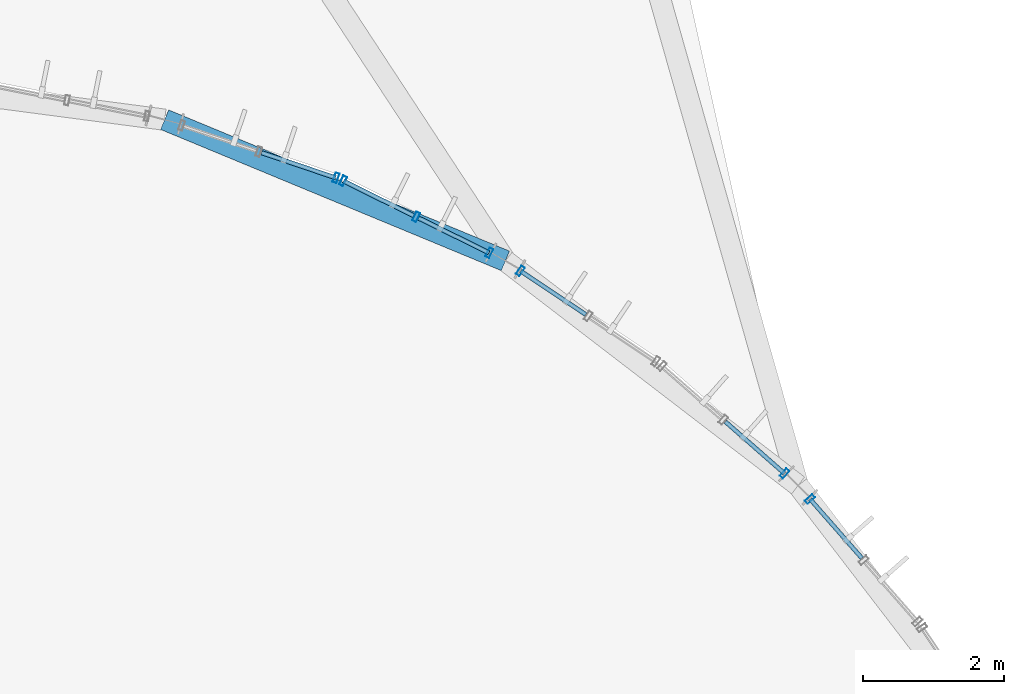
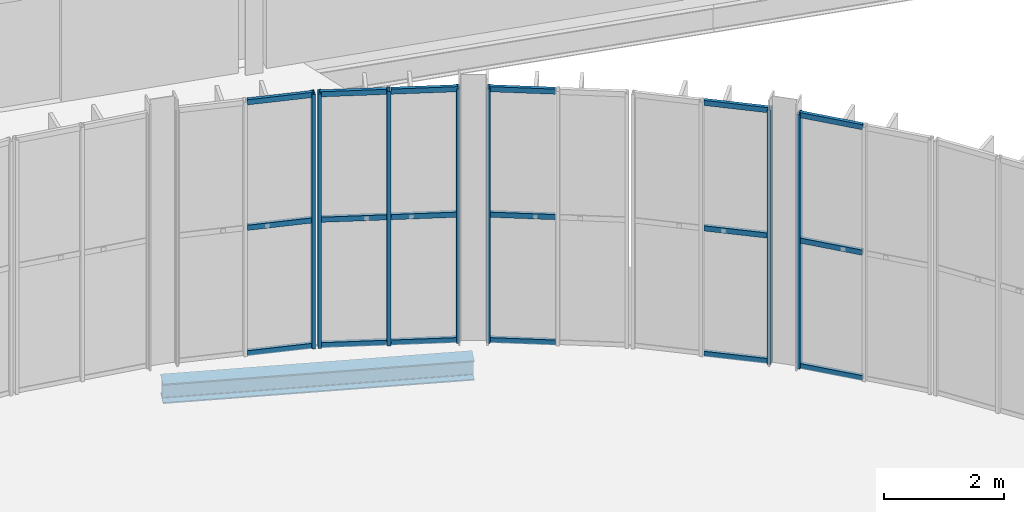
# One storey, part 72 of 158: 25 members, 1 beam, 5 elements without a shape of their own.
"""IFC4 building model written with IfcOpenShell, lengths in metres."""

from ifc_helpers import new_model, si_unit, derived_unit, direction, frame, origin, origin_2d, place, context, subcontext, project, spatial, hollow_rectangle, i_section, extrude, material, material_profile, profile_set, type_object, element, aggregate, save


model = new_model("IFC4")

# Units and contexts
model_context = context("Model", 3, precision=1e-05, world=origin(), true_north=direction((0.0, 1.0)))
body_context = subcontext(model_context, "Body", "Model", "MODEL_VIEW")
ifc_project = project(units=[si_unit("LENGTHUNIT", "METRE"), si_unit("AREAUNIT", "SQUARE_METRE"), si_unit("VOLUMEUNIT", "CUBIC_METRE"), si_unit("PLANEANGLEUNIT", "RADIAN"), si_unit("MASSUNIT", "GRAM", prefix="KILO"), si_unit("THERMODYNAMICTEMPERATUREUNIT", "KELVIN"), si_unit("TIMEUNIT", "SECOND"), derived_unit("THERMALTRANSMITTANCEUNIT", [(si_unit("MASSUNIT", "GRAM", prefix="KILO"), 1), (si_unit("THERMODYNAMICTEMPERATUREUNIT", "KELVIN"), -1), (si_unit("TIMEUNIT", "SECOND"), -3)])], contexts=[model_context])

# Site, building, storey
site_placement = place(None, origin())
site = spatial("IfcSite", under=ifc_project, at=site_placement, CompositionType="ELEMENT")
building_placement = place(site_placement, origin())
building = spatial("IfcBuilding", under=site, at=building_placement, Name="Cambertide Market Hall", CompositionType="ELEMENT")
storey_placement = place(building_placement, origin())
storey = spatial("IfcBuildingStorey", under=building, at=storey_placement, Name="L01", CompositionType="ELEMENT", Elevation=0.0)

# Curtain wall, member
ifc_material_1 = material(Name="Marine Anodized Aluminium 6063-T6 AA25", Category="aluminium")
curtain_wall_type = type_object("IfcCurtainWallType", Name="Lantern Apse Chord Lower Curtain Wall", PredefinedType="USERDEFINED", material=ifc_material_1)
curtain_wall_1_placement = place(storey_placement, origin())
curtain_wall_1 = element("IfcCurtainWall", 1, at=curtain_wall_1_placement, inside=storey, type_object=curtain_wall_type, Name="Level 1 Curtain Wall CW-V1AE-L01-18", ObjectType="UNITIZED CURTAIN WALL", PredefinedType="USERDEFINED")
ifc_material_2 = material(Name="Champagne Marine Anodized Aluminium 6063-T6 AA25", Category="aluminium")
ifc_material_profile_1 = material_profile(ifc_material_2, hollow_rectangle(XDim=0.06005859375, YDim=0.139892578125, WallThickness=0.00341796875, at=origin_2d()), Name="ALU MULLION 60x140")
ifc_profile_set_1 = profile_set([ifc_material_profile_1], Name="Champagne Marine Anodized Aluminium 6063-T6 AA25")
member_type_1 = type_object("IfcMemberType", Name="Curtain Wall Mullion ALU MULLION 60x140", PredefinedType="MULLION", material=ifc_profile_set_1)
member_1_placement = place(storey_placement, frame((119.310302734375, 85.950439453125, 0.0), z_axis=(0.0, 0.0, 1.0), x_axis=(0.659345784014, -0.751839834741, 0.0)))
member_1 = element("IfcMember", 2, at=member_1_placement, type_object=member_type_1, Name="CW-V1AE-L01-18 Mullion 1", PredefinedType="MULLION", context=body_context, shape_type="SweptSolid", body=[
    extrude(hollow_rectangle(XDim=0.06005859375, YDim=0.139892578125, WallThickness=0.00341796875, at=origin_2d()), origin(), (0.0, 0.0, 1.0), 5.159912109375),
])

curtain_wall_2_placement = place(storey_placement, origin())
curtain_wall_2 = element("IfcCurtainWall", 3, at=curtain_wall_2_placement, inside=storey, type_object=curtain_wall_type, Name="Level 1 Curtain Wall CW-V1AE-L01-19", ObjectType="UNITIZED CURTAIN WALL", PredefinedType="USERDEFINED")
member_2_placement = place(storey_placement, frame((118.950439453125, 86.310302734375, 0.0), z_axis=(0.0, 0.0, 1.0), x_axis=(0.751839834741, -0.659345784014, 0.0)))
member_2 = element("IfcMember", 4, at=member_2_placement, type_object=member_type_1, Name="CW-V1AE-L01-19 Mullion 3", PredefinedType="MULLION", context=body_context, shape_type="SweptSolid", body=[
    extrude(hollow_rectangle(XDim=0.06005859375, YDim=0.139892578125, WallThickness=0.00341796875, at=origin_2d()), origin(), (0.0, 0.0, 1.0), 5.159912109375),
])

curtain_wall_3_placement = place(storey_placement, origin())
curtain_wall_3 = element("IfcCurtainWall", 5, at=curtain_wall_3_placement, inside=storey, type_object=curtain_wall_type, Name="Level 1 Curtain Wall CW-V1AE-L01-20", ObjectType="UNITIZED CURTAIN WALL", PredefinedType="USERDEFINED")
member_3_placement = place(storey_placement, frame((115.2119140625, 89.178955078125, 0.0), z_axis=(0.0, 0.0, 1.0), x_axis=(0.831469709481, -0.555570087582, 0.0)))
member_3 = element("IfcMember", 6, at=member_3_placement, type_object=member_type_1, Name="CW-V1AE-L01-20 Mullion 1", PredefinedType="MULLION", context=body_context, shape_type="SweptSolid", body=[
    extrude(hollow_rectangle(XDim=0.06005859375, YDim=0.139892578125, WallThickness=0.00341796875, at=origin_2d()), origin(), (0.0, 0.0, 1.0), 5.159912109375),
])

# Curtain wall, members
curtain_wall_4_placement = place(storey_placement, origin())
curtain_wall_4 = element("IfcCurtainWall", 7, at=curtain_wall_4_placement, inside=storey, type_object=curtain_wall_type, Name="Level 1 Curtain Wall CW-V1AE-L01-21", ObjectType="UNITIZED CURTAIN WALL", PredefinedType="USERDEFINED")
member_4_placement = place(storey_placement, frame((112.702880859375, 90.453369140625, 0.0), z_axis=(0.0, 0.0, 1.0), x_axis=(0.896872650645, -0.442288874522, 0.0)))
member_4 = element("IfcMember", 8, at=member_4_placement, type_object=member_type_1, Name="CW-V1AE-L01-21 Mullion 1", PredefinedType="MULLION", context=body_context, shape_type="SweptSolid", body=[
    extrude(hollow_rectangle(XDim=0.06005859375, YDim=0.139892578125, WallThickness=0.00341796875, at=origin_2d()), origin(), (0.0, 0.0, 1.0), 5.159912109375),
])
member_5_placement = place(storey_placement, frame((113.737060546875, 89.943359375, 0.0), z_axis=(0.0, 0.0, 1.0), x_axis=(0.896872650645, -0.442288874522, 0.0)))
member_5 = element("IfcMember", 9, at=member_5_placement, type_object=member_type_1, Name="CW-V1AE-L01-21 Mullion 2", PredefinedType="MULLION", context=body_context, shape_type="SweptSolid", body=[
    extrude(hollow_rectangle(XDim=0.06005859375, YDim=0.139892578125, WallThickness=0.00341796875, at=origin_2d()), origin(), (0.0, 0.0, 1.0), 5.159912109375),
])
member_6_placement = place(storey_placement, frame((114.771240234375, 89.433349609375, 0.0), z_axis=(0.0, 0.0, 1.0), x_axis=(0.896872650645, -0.442288874522, 0.0)))
member_6 = element("IfcMember", 10, at=member_6_placement, type_object=member_type_1, Name="CW-V1AE-L01-21 Mullion 3", PredefinedType="MULLION", context=body_context, shape_type="SweptSolid", body=[
    extrude(hollow_rectangle(XDim=0.06005859375, YDim=0.139892578125, WallThickness=0.00341796875, at=origin_2d()), origin(), (0.0, 0.0, 1.0), 5.159912109375),
])

# Curtain wall, member
curtain_wall_5_placement = place(storey_placement, origin())
curtain_wall_5 = element("IfcCurtainWall", 11, at=curtain_wall_5_placement, inside=storey, type_object=curtain_wall_type, Name="Level 1 Curtain Wall CW-V1AE-L01-22", ObjectType="UNITIZED CURTAIN WALL", PredefinedType="USERDEFINED")
member_7_placement = place(storey_placement, frame((112.6015625, 90.495361328125, 0.0), z_axis=(0.0, 0.0, 1.0), x_axis=(0.94693012508, -0.32143947831, 0.0)))
member_7 = element("IfcMember", 12, at=member_7_placement, type_object=member_type_1, Name="CW-V1AE-L01-22 Mullion 3", PredefinedType="MULLION", context=body_context, shape_type="SweptSolid", body=[
    extrude(hollow_rectangle(XDim=0.06005859375, YDim=0.139892578125, WallThickness=0.00341796875, at=origin_2d()), origin(), (0.0, 0.0, 1.0), 5.159912109375),
])

# Member
ifc_material_3 = material(Name="Champagne Marine Anodized Aluminium 6063-T6 AA25", Category="aluminium")
ifc_material_profile_2 = material_profile(ifc_material_3, hollow_rectangle(XDim=0.06005859375, YDim=0.10498046875, WallThickness=0.0029296875, at=origin_2d()), Name="ALU TRANSOM 60x105")
ifc_profile_set_2 = profile_set([ifc_material_profile_2], Name="Champagne Marine Anodized Aluminium 6063-T6 AA25")
member_type_2 = type_object("IfcMemberType", Name="Curtain Wall Transom ALU TRANSOM 60x105", PredefinedType="USERDEFINED", material=ifc_profile_set_2)
member_8_placement = place(storey_placement, frame((119.3134765625, 85.94677734375, 0.034912109375), z_axis=(0.659330789082, -0.751852984677, 0.0), x_axis=(0.751852984677, 0.659330789082, 0.0)))
member_8 = element("IfcMember", 13, at=member_8_placement, type_object=member_type_2, Name="CW-V1AE-L01-18 Transom 1-1", ObjectType="TRANSOM", PredefinedType="USERDEFINED", context=body_context, shape_type="SweptSolid", body=[
    extrude(hollow_rectangle(XDim=0.06005859375, YDim=0.10498046875, WallThickness=0.0029296875, at=origin_2d()), origin(), (0.0, 0.0, 1.0), 1.108154296875),
])

member_9_placement = place(storey_placement, frame((119.3134765625, 85.94677734375, 2.580078125), z_axis=(0.659330789082, -0.751852984677, 0.0), x_axis=(0.751852984677, 0.659330789082, 0.0)))
member_9 = element("IfcMember", 14, at=member_9_placement, type_object=member_type_2, Name="CW-V1AE-L01-18 Transom 2-1", ObjectType="TRANSOM", PredefinedType="USERDEFINED", context=body_context, shape_type="SweptSolid", body=[
    extrude(hollow_rectangle(XDim=0.06005859375, YDim=0.10498046875, WallThickness=0.0029296875, at=origin_2d()), origin(), (0.0, 0.0, 1.0), 1.108154296875),
])

member_10_placement = place(storey_placement, frame((119.3134765625, 85.94677734375, 5.125), z_axis=(0.659330789082, -0.751852984677, 0.0), x_axis=(0.751852984677, 0.659330789082, 0.0)))
member_10 = element("IfcMember", 15, at=member_10_placement, type_object=member_type_2, Name="CW-V1AE-L01-18 Transom 3-1", ObjectType="TRANSOM", PredefinedType="USERDEFINED", context=body_context, shape_type="SweptSolid", body=[
    extrude(hollow_rectangle(XDim=0.06005859375, YDim=0.10498046875, WallThickness=0.0029296875, at=origin_2d()), origin(), (0.0, 0.0, 1.0), 1.108154296875),
])

aggregate(curtain_wall_1, [member_1, member_8, member_9, member_10])

member_11_placement = place(storey_placement, frame((118.113525390625, 87.044189453125, 0.034912109375), z_axis=(0.751852984677, -0.659330789082, 0.0), x_axis=(0.659330789082, 0.751852984677, 0.0)))
member_11 = element("IfcMember", 16, at=member_11_placement, type_object=member_type_2, Name="CW-V1AE-L01-19 Transom 1-2", ObjectType="TRANSOM", PredefinedType="USERDEFINED", context=body_context, shape_type="SweptSolid", body=[
    extrude(hollow_rectangle(XDim=0.06005859375, YDim=0.10498046875, WallThickness=0.0029296875, at=origin_2d()), origin(), (0.0, 0.0, 1.0), 1.108154296875),
])

member_12_placement = place(storey_placement, frame((118.113525390625, 87.044189453125, 2.580078125), z_axis=(0.751852984677, -0.659330789082, 0.0), x_axis=(0.659330789082, 0.751852984677, 0.0)))
member_12 = element("IfcMember", 17, at=member_12_placement, type_object=member_type_2, Name="CW-V1AE-L01-19 Transom 2-2", ObjectType="TRANSOM", PredefinedType="USERDEFINED", context=body_context, shape_type="SweptSolid", body=[
    extrude(hollow_rectangle(XDim=0.06005859375, YDim=0.10498046875, WallThickness=0.0029296875, at=origin_2d()), origin(), (0.0, 0.0, 1.0), 1.108154296875),
])

member_13_placement = place(storey_placement, frame((118.113525390625, 87.044189453125, 5.125), z_axis=(0.751852984677, -0.659330789082, 0.0), x_axis=(0.659330789082, 0.751852984677, 0.0)))
member_13 = element("IfcMember", 18, at=member_13_placement, type_object=member_type_2, Name="CW-V1AE-L01-19 Transom 3-2", ObjectType="TRANSOM", PredefinedType="USERDEFINED", context=body_context, shape_type="SweptSolid", body=[
    extrude(hollow_rectangle(XDim=0.06005859375, YDim=0.10498046875, WallThickness=0.0029296875, at=origin_2d()), origin(), (0.0, 0.0, 1.0), 1.108154296875),
])

aggregate(curtain_wall_2, [member_2, member_11, member_12, member_13])

member_14_placement = place(storey_placement, frame((115.216064453125, 89.176025390625, 0.034912109375), z_axis=(0.83154148111, -0.555462658685, 0.0), x_axis=(0.555462658685, 0.83154148111, 0.0)))
member_14 = element("IfcMember", 19, at=member_14_placement, type_object=member_type_2, Name="CW-V1AE-L01-20 Transom 1-1", ObjectType="TRANSOM", PredefinedType="USERDEFINED", context=body_context, shape_type="SweptSolid", body=[
    extrude(hollow_rectangle(XDim=0.06005859375, YDim=0.10498046875, WallThickness=0.0029296875, at=origin_2d()), origin(), (0.0, 0.0, 1.0), 1.108154296875),
])

member_15_placement = place(storey_placement, frame((115.216064453125, 89.176025390625, 2.580078125), z_axis=(0.83154148111, -0.555462658685, 0.0), x_axis=(0.555462658685, 0.83154148111, 0.0)))
member_15 = element("IfcMember", 20, at=member_15_placement, type_object=member_type_2, Name="CW-V1AE-L01-20 Transom 2-1", ObjectType="TRANSOM", PredefinedType="USERDEFINED", context=body_context, shape_type="SweptSolid", body=[
    extrude(hollow_rectangle(XDim=0.06005859375, YDim=0.10498046875, WallThickness=0.0029296875, at=origin_2d()), origin(), (0.0, 0.0, 1.0), 1.108154296875),
])

member_16_placement = place(storey_placement, frame((115.216064453125, 89.176025390625, 5.125), z_axis=(0.83154148111, -0.555462658685, 0.0), x_axis=(0.555462658685, 0.83154148111, 0.0)))
member_16 = element("IfcMember", 21, at=member_16_placement, type_object=member_type_2, Name="CW-V1AE-L01-20 Transom 3-1", ObjectType="TRANSOM", PredefinedType="USERDEFINED", context=body_context, shape_type="SweptSolid", body=[
    extrude(hollow_rectangle(XDim=0.06005859375, YDim=0.10498046875, WallThickness=0.0029296875, at=origin_2d()), origin(), (0.0, 0.0, 1.0), 1.108154296875),
])

aggregate(curtain_wall_3, [member_3, member_14, member_15, member_16])

member_17_placement = place(storey_placement, frame((112.70751953125, 90.451171875, 0.034912109375), z_axis=(0.896794227794, -0.44244786472, 0.0), x_axis=(0.44244786472, 0.896794227794, 0.0)))
member_17 = element("IfcMember", 22, at=member_17_placement, type_object=member_type_2, Name="CW-V1AE-L01-21 Transom 1-1", ObjectType="TRANSOM", PredefinedType="USERDEFINED", context=body_context, shape_type="SweptSolid", body=[
    extrude(hollow_rectangle(XDim=0.06005859375, YDim=0.10498046875, WallThickness=0.0029296875, at=origin_2d()), origin(), (0.0, 0.0, 1.0), 1.10791015625),
])

member_18_placement = place(storey_placement, frame((113.77294921875, 89.925537109375, 0.034912109375), z_axis=(0.896924738521, -0.442183235129, 0.0), x_axis=(0.442183235129, 0.896924738521, 0.0)))
member_18 = element("IfcMember", 23, at=member_18_placement, type_object=member_type_2, Name="CW-V1AE-L01-21 Transom 1-2", ObjectType="TRANSOM", PredefinedType="USERDEFINED", context=body_context, shape_type="SweptSolid", body=[
    extrude(hollow_rectangle(XDim=0.06005859375, YDim=0.10498046875, WallThickness=0.0029296875, at=origin_2d()), origin(), (0.0, 0.0, 1.0), 1.108154296875),
])

member_19_placement = place(storey_placement, frame((112.70751953125, 90.451171875, 2.580078125), z_axis=(0.896794227794, -0.44244786472, 0.0), x_axis=(0.44244786472, 0.896794227794, 0.0)))
member_19 = element("IfcMember", 24, at=member_19_placement, type_object=member_type_2, Name="CW-V1AE-L01-21 Transom 2-1", ObjectType="TRANSOM", PredefinedType="USERDEFINED", context=body_context, shape_type="SweptSolid", body=[
    extrude(hollow_rectangle(XDim=0.06005859375, YDim=0.10498046875, WallThickness=0.0029296875, at=origin_2d()), origin(), (0.0, 0.0, 1.0), 1.10791015625),
])

member_20_placement = place(storey_placement, frame((113.77294921875, 89.925537109375, 2.580078125), z_axis=(0.896924738521, -0.442183235129, 0.0), x_axis=(0.442183235129, 0.896924738521, 0.0)))
member_20 = element("IfcMember", 25, at=member_20_placement, type_object=member_type_2, Name="CW-V1AE-L01-21 Transom 2-2", ObjectType="TRANSOM", PredefinedType="USERDEFINED", context=body_context, shape_type="SweptSolid", body=[
    extrude(hollow_rectangle(XDim=0.06005859375, YDim=0.10498046875, WallThickness=0.0029296875, at=origin_2d()), origin(), (0.0, 0.0, 1.0), 1.108154296875),
])

member_21_placement = place(storey_placement, frame((112.70751953125, 90.451171875, 5.125), z_axis=(0.896794227794, -0.44244786472, 0.0), x_axis=(0.44244786472, 0.896794227794, 0.0)))
member_21 = element("IfcMember", 26, at=member_21_placement, type_object=member_type_2, Name="CW-V1AE-L01-21 Transom 3-1", ObjectType="TRANSOM", PredefinedType="USERDEFINED", context=body_context, shape_type="SweptSolid", body=[
    extrude(hollow_rectangle(XDim=0.06005859375, YDim=0.10498046875, WallThickness=0.0029296875, at=origin_2d()), origin(), (0.0, 0.0, 1.0), 1.10791015625),
])

member_22_placement = place(storey_placement, frame((113.77294921875, 89.925537109375, 5.125), z_axis=(0.896924738521, -0.442183235129, 0.0), x_axis=(0.442183235129, 0.896924738521, 0.0)))
member_22 = element("IfcMember", 27, at=member_22_placement, type_object=member_type_2, Name="CW-V1AE-L01-21 Transom 3-2", ObjectType="TRANSOM", PredefinedType="USERDEFINED", context=body_context, shape_type="SweptSolid", body=[
    extrude(hollow_rectangle(XDim=0.06005859375, YDim=0.10498046875, WallThickness=0.0029296875, at=origin_2d()), origin(), (0.0, 0.0, 1.0), 1.108154296875),
])

aggregate(curtain_wall_4, [member_4, member_5, member_6, member_17, member_18, member_19, member_20, member_21, member_22])

member_23_placement = place(storey_placement, frame((111.547607421875, 90.85302734375, 0.034912109375), z_axis=(0.946928413037, -0.321444521782, 0.0), x_axis=(0.321444521782, 0.946928413037, 0.0)))
member_23 = element("IfcMember", 28, at=member_23_placement, type_object=member_type_2, Name="CW-V1AE-L01-22 Transom 1-2", ObjectType="TRANSOM", PredefinedType="USERDEFINED", context=body_context, shape_type="SweptSolid", body=[
    extrude(hollow_rectangle(XDim=0.06005859375, YDim=0.10498046875, WallThickness=0.0029296875, at=origin_2d()), origin(), (0.0, 0.0, 1.0), 1.108154296875),
])

member_24_placement = place(storey_placement, frame((111.547607421875, 90.85302734375, 2.580078125), z_axis=(0.946928413037, -0.321444521782, 0.0), x_axis=(0.321444521782, 0.946928413037, 0.0)))
member_24 = element("IfcMember", 29, at=member_24_placement, type_object=member_type_2, Name="CW-V1AE-L01-22 Transom 2-2", ObjectType="TRANSOM", PredefinedType="USERDEFINED", context=body_context, shape_type="SweptSolid", body=[
    extrude(hollow_rectangle(XDim=0.06005859375, YDim=0.10498046875, WallThickness=0.0029296875, at=origin_2d()), origin(), (0.0, 0.0, 1.0), 1.108154296875),
])

member_25_placement = place(storey_placement, frame((111.547607421875, 90.85302734375, 5.125), z_axis=(0.946928413037, -0.321444521782, 0.0), x_axis=(0.321444521782, 0.946928413037, 0.0)))
member_25 = element("IfcMember", 30, at=member_25_placement, type_object=member_type_2, Name="CW-V1AE-L01-22 Transom 3-2", ObjectType="TRANSOM", PredefinedType="USERDEFINED", context=body_context, shape_type="SweptSolid", body=[
    extrude(hollow_rectangle(XDim=0.06005859375, YDim=0.10498046875, WallThickness=0.0029296875, at=origin_2d()), origin(), (0.0, 0.0, 1.0), 1.108154296875),
])

aggregate(curtain_wall_5, [member_7, member_23, member_24, member_25])

# Beam
ifc_material_4 = material(Name="Steel S355", Category="steel")
ifc_material_profile_3 = material_profile(ifc_material_4, i_section(OverallWidth=0.300048828125, OverallDepth=0.39990234375, WebThickness=0.013427734375, FlangeThickness=0.02392578125, FilletRadius=0.027099609375, at=origin_2d()), Name="HEB 400")
ifc_profile_set_3 = profile_set([ifc_material_profile_3], Name="Steel S355")
beam_type = type_object("IfcBeamType", Name="Steel Girder HEB 400", PredefinedType="BEAM", material=ifc_profile_set_3)
beam_placement = place(storey_placement, frame((115.0, 89.320556640625, -0.510009765625), z_axis=(-0.923880054352, 0.382682172528, 0.0), x_axis=(-0.382682172528, -0.923880054352, 0.0)))
element("IfcBeam", 31, at=beam_placement, inside=storey, type_object=beam_type, Name="Level 1 Beam BM-V1AE-L01-11", PredefinedType="BEAM", context=body_context, shape_type="SweptSolid", body=[
    extrude(i_section(OverallWidth=0.300048828125, OverallDepth=0.39990234375, WebThickness=0.013427734375, FlangeThickness=0.02392578125, FilletRadius=0.027099609375, at=origin_2d()), origin(), (0.0, 0.0, 1.0), 5.22119140625),
])

save(model, "model.ifc")
